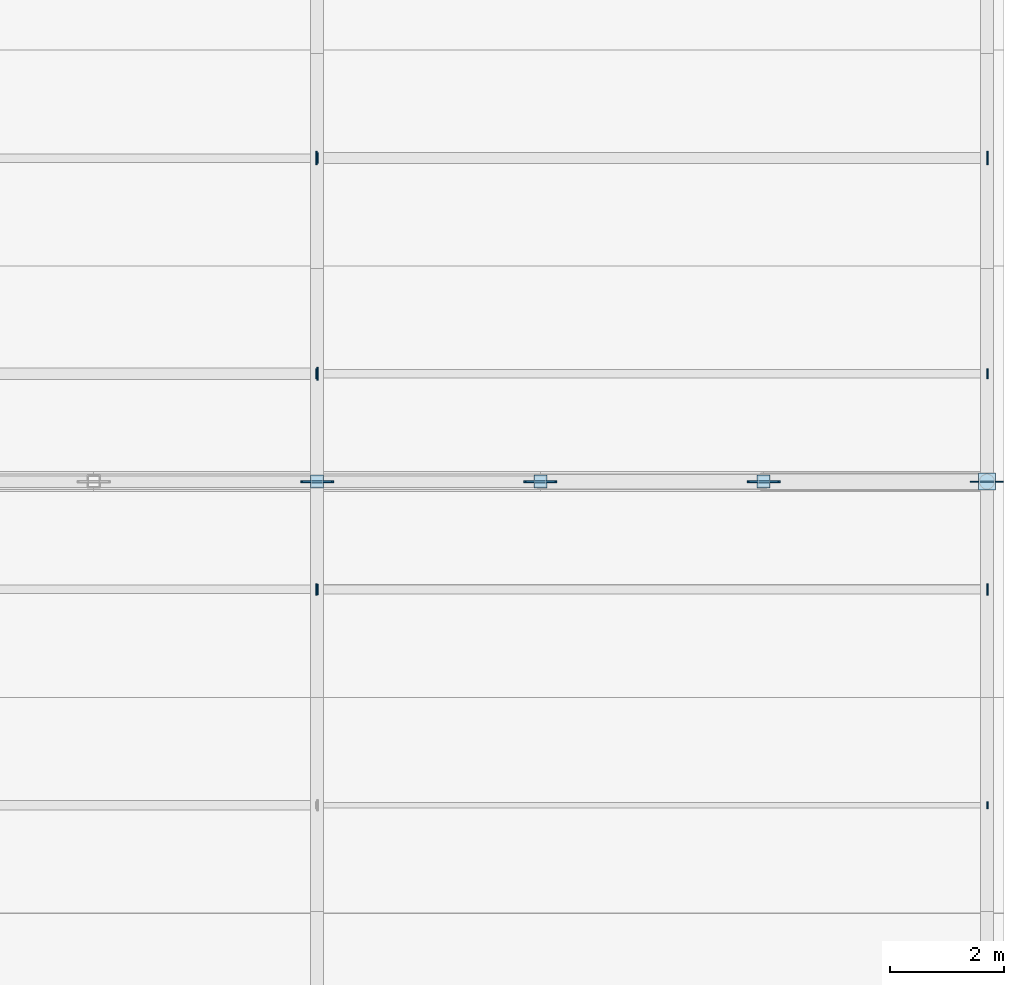
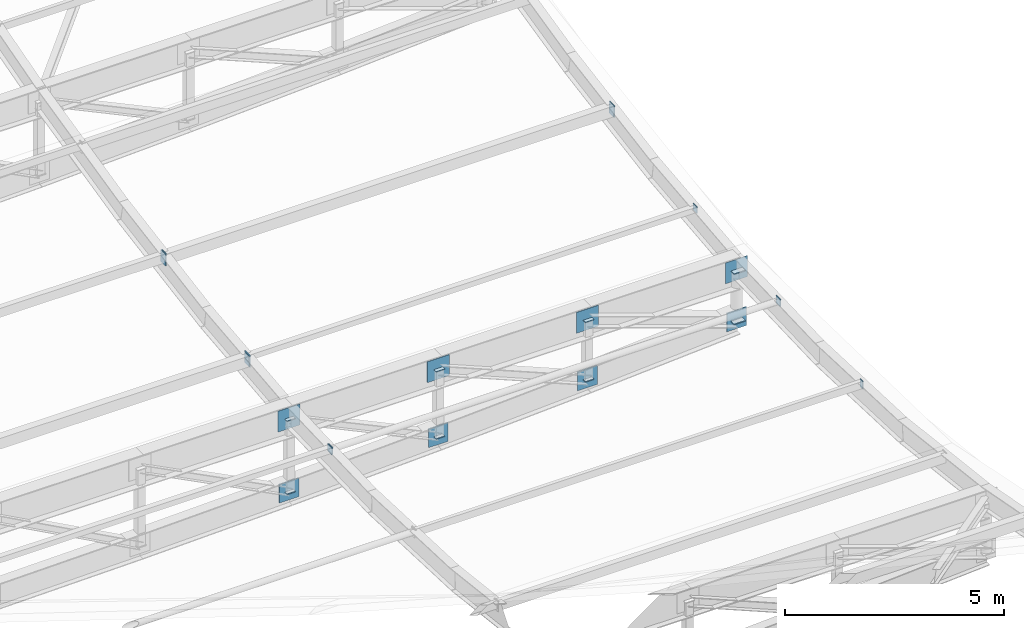
# One storey, part 51 of 65: 26 plates.
"""IFC4 building model written with IfcOpenShell, lengths in metres."""

from ifc_helpers import new_model, si_unit, direction, frame, origin, origin_2d, place, context, subcontext, project, spatial, rectangle, extrude, material, layer, layer_set, type_object, element, save


model = new_model("IFC4")

# Units and contexts
model_context = context("Model", 3, precision=1e-05, world=origin(), true_north=direction((0.0, 1.0)))
body_context = subcontext(model_context, "Body", "Model", "MODEL_VIEW")
ifc_project = project(units=[si_unit("LENGTHUNIT", "METRE"), si_unit("AREAUNIT", "SQUARE_METRE"), si_unit("VOLUMEUNIT", "CUBIC_METRE"), si_unit("PLANEANGLEUNIT", "RADIAN"), si_unit("MASSUNIT", "GRAM", prefix="KILO"), si_unit("POWERUNIT", "WATT"), si_unit("THERMODYNAMICTEMPERATUREUNIT", "KELVIN")], contexts=[model_context])

# Site, building, storey
site_placement = place(None, origin())
site = spatial("IfcSite", under=ifc_project, at=site_placement, CompositionType="ELEMENT")
building_placement = place(site_placement, origin())
building = spatial("IfcBuilding", under=site, at=building_placement, Name="Kelmbourne Parkland Aquatics Centre", CompositionType="ELEMENT")
storey_placement = place(building_placement, frame((0.0, 0.0, 27.0)))
storey = spatial("IfcBuildingStorey", under=building, at=storey_placement, Name="RF", CompositionType="ELEMENT", Elevation=27.0)

# Plates
ifc_material = material(Name="Welded plate steel AS/NZS 3678 Grade 350", Category="steel")
ifc_layer_1 = layer(ifc_material, 0.02001953125)
ifc_layer_set_1 = layer_set([ifc_layer_1], Name="Welded plate steel AS/NZS 3678 Grade 350")
plate_type_1 = type_object("IfcPlateType", Name="PL-CAP-20", PredefinedType="USERDEFINED", material=ifc_layer_set_1)
for number, where, z_axis, x_axis, name in (
    (1, (163.39990234375, 57.800048828125, -14.920166015625), (0.0, 0.0, 1.0), (1.0, 0.0, 0.0), "Hollow end cap plate CAP-0163"),
    (2, (163.39990234375, 57.800048828125, -12.884521484375), (0.0, 0.0, 1.0), (1.0, 0.0, 0.0), "Hollow end cap plate CAP-0164"),
    (3, (167.333251953125, 57.800048828125, -14.7548828125), (0.0, 0.0, 1.0), (1.0, 0.0, 0.0), "Hollow end cap plate CAP-0165"),
    (4, (167.333251953125, 57.800048828125, -12.884521484375), (0.0, 0.0, 1.0), (1.0, 0.0, 0.0), "Hollow end cap plate CAP-0166"),
    (5, (171.2666015625, 57.800048828125, -14.542236328125), (0.0, 0.0, 1.0), (1.0, 0.0, 0.0), "Hollow end cap plate CAP-0167"),
    (6, (171.2666015625, 57.800048828125, -12.884521484375), (0.0, 0.0, 1.0), (1.0, 0.0, 0.0), "Hollow end cap plate CAP-0168"),
):
    element("IfcPlate", number, at=place(storey_placement, frame(where, z_axis=z_axis, x_axis=x_axis)), inside=storey, type_object=plate_type_1, Name=name, ObjectType="END CAP PLATE", PredefinedType="USERDEFINED", context=body_context, shape_type="SweptSolid", body=[
        extrude(rectangle(XDim=0.22998046875, YDim=0.22998046875, at=origin_2d()), origin(), (0.0, 0.0, 1.0), 0.02001953125),
    ])
plate_1_placement = place(storey_placement, frame((175.208984375, 52.10009765625, -12.728515625), z_axis=(0.0, 0.0, 1.0), x_axis=(1.0, 0.0, 0.0)))
element("IfcPlate", 7, at=plate_1_placement, inside=storey, type_object=plate_type_1, Name="Hollow end cap plate CAP-0412", ObjectType="END CAP PLATE", PredefinedType="USERDEFINED", context=body_context, shape_type="SweptSolid", body=[
    extrude(rectangle(XDim=0.02001953125, YDim=0.1298828125, at=origin_2d()), origin(), (0.0, 0.0, 1.0), 0.22998046875),
])
plate_2_placement = place(storey_placement, frame((163.408935546875, 55.89990234375, -12.6865234375), z_axis=(0.0, 0.0, 1.0), x_axis=(1.0, 0.0, 0.0)))
element("IfcPlate", 8, at=plate_2_placement, inside=storey, type_object=plate_type_1, Name="Hollow end cap plate CAP-0418", ObjectType="END CAP PLATE", PredefinedType="USERDEFINED", context=body_context, shape_type="SweptSolid", body=[
    extrude(rectangle(XDim=0.02001953125, YDim=0.179931640625, at=origin_2d()), origin(), (0.0, 0.0, 1.0), 0.179931640625),
])
for number, where, z_axis, x_axis, name in (
    (9, (163.39111328125, 55.89990234375, -12.705078125), (0.0, 0.0, 1.0), (-1.0, 0.0, 0.0), "Hollow end cap plate CAP-0419"),
    (10, (175.208984375, 55.89990234375, -12.705078125), (0.0, 0.0, 1.0), (1.0, 0.0, 0.0), "Hollow end cap plate CAP-0420"),
):
    element("IfcPlate", number, at=place(storey_placement, frame(where, z_axis=z_axis, x_axis=x_axis)), inside=storey, type_object=plate_type_1, Name=name, ObjectType="END CAP PLATE", PredefinedType="USERDEFINED", context=body_context, shape_type="SweptSolid", body=[
        extrude(rectangle(XDim=0.02001953125, YDim=0.1982421875, at=origin_2d()), origin(), (0.0, 0.0, 1.0), 0.1982421875),
    ])
for number, where, z_axis, x_axis, name in (
    (11, (163.39111328125, 59.699951171875, -12.41650390625), (0.0, 0.0, 1.0), (-1.0, 0.0, 0.0), "Hollow end cap plate CAP-0427"),
    (12, (175.208984375, 59.699951171875, -12.41650390625), (0.0, 0.0, 1.0), (1.0, 0.0, 0.0), "Hollow end cap plate CAP-0428"),
):
    element("IfcPlate", number, at=place(storey_placement, frame(where, z_axis=z_axis, x_axis=x_axis)), inside=storey, type_object=plate_type_1, Name=name, ObjectType="END CAP PLATE", PredefinedType="USERDEFINED", context=body_context, shape_type="SweptSolid", body=[
        extrude(rectangle(XDim=0.02001953125, YDim=0.179931640625, at=origin_2d()), origin(), (0.0, 0.0, 1.0), 0.179931640625),
    ])
plate_3_placement = place(storey_placement, frame((163.408935546875, 63.5, -11.986328125), z_axis=(0.0, 0.0, 1.0), x_axis=(1.0, 0.0, 0.0)))
element("IfcPlate", 13, at=plate_3_placement, inside=storey, type_object=plate_type_1, Name="Hollow end cap plate CAP-0434", ObjectType="END CAP PLATE", PredefinedType="USERDEFINED", context=body_context, shape_type="SweptSolid", body=[
    extrude(rectangle(XDim=0.02001953125, YDim=0.179931640625, at=origin_2d()), origin(), (0.0, 0.0, 1.0), 0.280029296875),
])
ifc_layer_2 = layer(ifc_material, 0.02392578125)
ifc_layer_set_2 = layer_set([ifc_layer_2], Name="Welded plate steel AS/NZS 3678 Grade 350")
plate_type_2 = type_object("IfcPlateType", Name="PL-CAP-24", PredefinedType="USERDEFINED", material=ifc_layer_set_2)
for number, where, z_axis, x_axis, name in (
    (14, (175.199951171875, 57.800048828125, -14.28662109375), (0.0, 0.0, 1.0), (1.0, 0.0, 0.0), "Hollow end cap plate CAP-0169"),
    (15, (175.199951171875, 57.800048828125, -12.884521484375), (0.0, 0.0, 1.0), (1.0, 0.0, 0.0), "Hollow end cap plate CAP-0170"),
):
    element("IfcPlate", number, at=place(storey_placement, frame(where, z_axis=z_axis, x_axis=x_axis)), inside=storey, type_object=plate_type_2, Name=name, ObjectType="END CAP PLATE", PredefinedType="USERDEFINED", context=body_context, shape_type="SweptSolid", body=[
        extrude(rectangle(XDim=0.302978515625, YDim=0.302978515625, at=origin_2d()), origin(), (0.0, 0.0, 1.0), 0.02392578125),
    ])
for number, where, z_axis, x_axis, name in (
    (16, (163.410888671875, 59.699951171875, -12.566650390625), (0.0, 0.0, 1.0), (1.0, 0.0, 0.0), "Hollow end cap plate CAP-0426"),
    (17, (163.388916015625, 63.5, -12.036376953125), (0.0, 0.0, 1.0), (-1.0, 0.0, 0.0), "Hollow end cap plate CAP-0435"),
    (18, (175.2109375, 63.5, -12.036376953125), (0.0, 0.0, 1.0), (1.0, 0.0, 0.0), "Hollow end cap plate CAP-0436"),
):
    element("IfcPlate", number, at=place(storey_placement, frame(where, z_axis=z_axis, x_axis=x_axis)), inside=storey, type_object=plate_type_2, Name=name, ObjectType="END CAP PLATE", PredefinedType="USERDEFINED", context=body_context, shape_type="SweptSolid", body=[
        extrude(rectangle(XDim=0.02392578125, YDim=0.22998046875, at=origin_2d()), origin(), (0.0, 0.0, 1.0), 0.330078125),
    ])
ifc_layer_3 = layer(ifc_material, 0.02001953125)
ifc_layer_set_3 = layer_set([ifc_layer_3], Name="Welded plate steel AS/NZS 3678 Grade 350")
plate_type_3 = type_object("IfcPlateType", Name="PL-GUS-1", PredefinedType="USERDEFINED", material=ifc_layer_set_3)
plate_4_placement = place(storey_placement, frame((175.199951171875, 57.800048828125, -13.173583984375), z_axis=(0.0, 0.0, 1.0), x_axis=(1.0, 0.0, 0.0)))
element("IfcPlate", 19, at=plate_4_placement, inside=storey, type_object=plate_type_3, Name="Truss top node TN-1 gusset plate R05-N12", ObjectType="GUSSET PLATE", PredefinedType="USERDEFINED", context=body_context, shape_type="SweptSolid", body=[
    extrude(rectangle(XDim=0.580078125, YDim=0.02001953125, at=origin_2d()), origin(), (0.0, 0.0, 1.0), 0.580078125),
])
plate_5_placement = place(storey_placement, frame((175.199951171875, 57.800048828125, -14.523681640625), z_axis=(0.0, 0.0, 1.0), x_axis=(1.0, 0.0, 0.0)))
element("IfcPlate", 20, at=plate_5_placement, inside=storey, type_object=plate_type_3, Name="Truss bottom node TN-1 gusset plate R05-B12", ObjectType="GUSSET PLATE", PredefinedType="USERDEFINED", context=body_context, shape_type="SweptSolid", body=[
    extrude(rectangle(XDim=0.52001953125, YDim=0.02001953125, at=origin_2d()), origin(), (0.0, 0.0, 1.0), 0.52001953125),
])
ifc_layer_4 = layer(ifc_material, 0.031982421875)
ifc_layer_set_4 = layer_set([ifc_layer_4], Name="Welded plate steel AS/NZS 3678 Grade 350")
plate_type_4 = type_object("IfcPlateType", Name="PL-GUS-3", PredefinedType="USERDEFINED", material=ifc_layer_set_4)
plate_6_placement = place(storey_placement, frame((163.39990234375, 57.800048828125, -13.173583984375), z_axis=(0.0, 0.0, 1.0), x_axis=(1.0, 0.0, 0.0)))
element("IfcPlate", 21, at=plate_6_placement, inside=storey, type_object=plate_type_4, Name="Truss top node TN-3 gusset plate R05-N9", ObjectType="GUSSET PLATE", PredefinedType="USERDEFINED", context=body_context, shape_type="SweptSolid", body=[
    extrude(rectangle(XDim=0.580078125, YDim=0.031982421875, at=origin_2d()), origin(), (0.0, 0.0, 1.0), 0.580078125),
])
plate_7_placement = place(storey_placement, frame((163.39990234375, 57.800048828125, -15.1611328125), z_axis=(0.0, 0.0, 1.0), x_axis=(1.0, 0.0, 0.0)))
element("IfcPlate", 22, at=plate_7_placement, inside=storey, type_object=plate_type_4, Name="Truss bottom node TN-3 gusset plate R05-B9", ObjectType="GUSSET PLATE", PredefinedType="USERDEFINED", context=body_context, shape_type="SweptSolid", body=[
    extrude(rectangle(XDim=0.52001953125, YDim=0.031982421875, at=origin_2d()), origin(), (0.0, 0.0, 1.0), 0.52001953125),
])
plate_8_placement = place(storey_placement, frame((167.333251953125, 57.800048828125, -13.173583984375), z_axis=(0.0, 0.0, 1.0), x_axis=(1.0, 0.0, 0.0)))
element("IfcPlate", 23, at=plate_8_placement, inside=storey, type_object=plate_type_4, Name="Truss top node TN-3 gusset plate R05-N10", ObjectType="GUSSET PLATE", PredefinedType="USERDEFINED", context=body_context, shape_type="SweptSolid", body=[
    extrude(rectangle(XDim=0.580078125, YDim=0.031982421875, at=origin_2d()), origin(), (0.0, 0.0, 1.0), 0.580078125),
])
plate_9_placement = place(storey_placement, frame((167.333251953125, 57.800048828125, -14.995849609375), z_axis=(0.0, 0.0, 1.0), x_axis=(1.0, 0.0, 0.0)))
element("IfcPlate", 24, at=plate_9_placement, inside=storey, type_object=plate_type_4, Name="Truss bottom node TN-3 gusset plate R05-B10", ObjectType="GUSSET PLATE", PredefinedType="USERDEFINED", context=body_context, shape_type="SweptSolid", body=[
    extrude(rectangle(XDim=0.52001953125, YDim=0.031982421875, at=origin_2d()), origin(), (0.0, 0.0, 1.0), 0.52001953125),
])
plate_10_placement = place(storey_placement, frame((171.2666015625, 57.800048828125, -13.173583984375), z_axis=(0.0, 0.0, 1.0), x_axis=(1.0, 0.0, 0.0)))
element("IfcPlate", 25, at=plate_10_placement, inside=storey, type_object=plate_type_4, Name="Truss top node TN-3 gusset plate R05-N11", ObjectType="GUSSET PLATE", PredefinedType="USERDEFINED", context=body_context, shape_type="SweptSolid", body=[
    extrude(rectangle(XDim=0.580078125, YDim=0.031982421875, at=origin_2d()), origin(), (0.0, 0.0, 1.0), 0.580078125),
])
plate_11_placement = place(storey_placement, frame((171.2666015625, 57.800048828125, -14.783203125), z_axis=(0.0, 0.0, 1.0), x_axis=(1.0, 0.0, 0.0)))
element("IfcPlate", 26, at=plate_11_placement, inside=storey, type_object=plate_type_4, Name="Truss bottom node TN-3 gusset plate R05-B11", ObjectType="GUSSET PLATE", PredefinedType="USERDEFINED", context=body_context, shape_type="SweptSolid", body=[
    extrude(rectangle(XDim=0.52001953125, YDim=0.031982421875, at=origin_2d()), origin(), (0.0, 0.0, 1.0), 0.52001953125),
])

save(model, "model.ifc")
